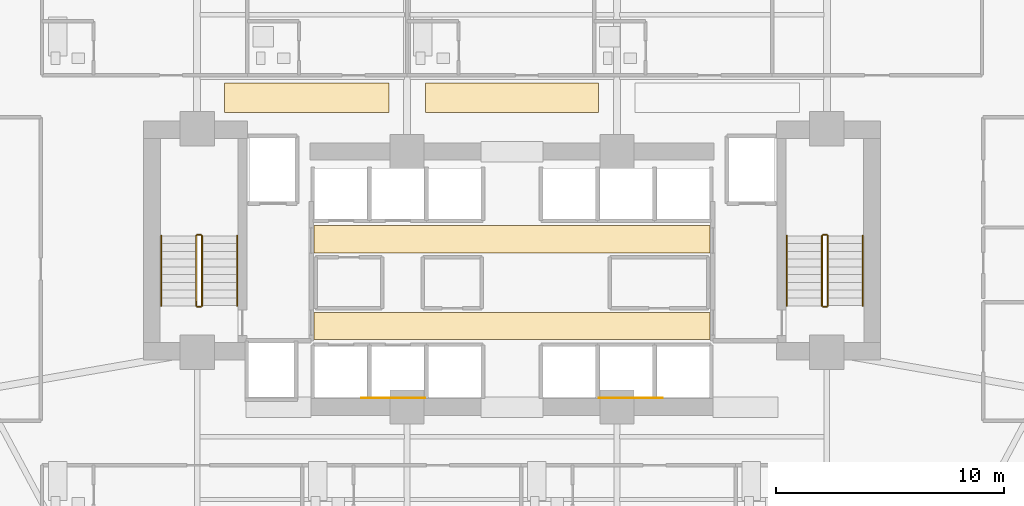
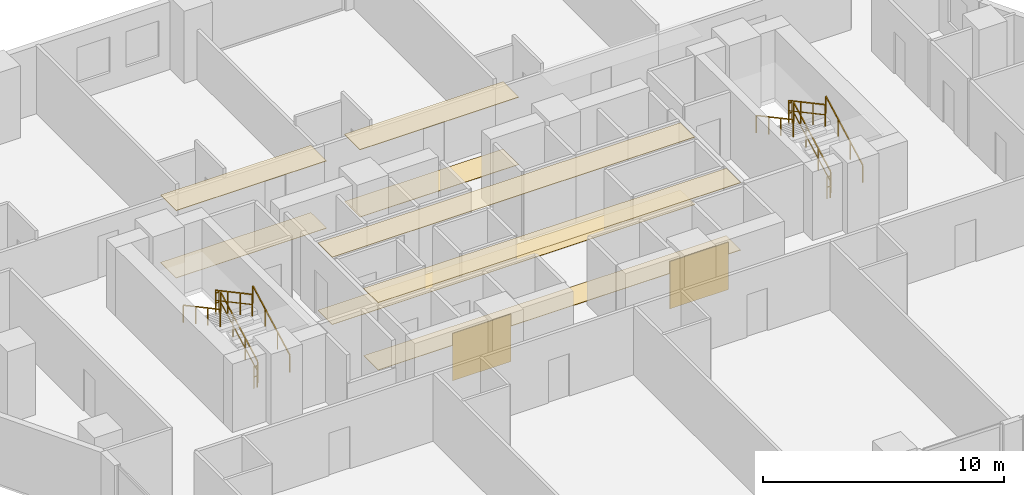
# One storey, part 25 of 27: 12 railings, 10 coverings.
"""IFC4 building model written with IfcOpenShell, lengths in metres."""

from ifc_helpers import new_model, si_unit, direction, frame, origin, origin_2d, place, context, subcontext, project, spatial, polyline, rectangle, outline, extrude, material, layer, layer_set, type_object, element, save


model = new_model("IFC4")

# Units and contexts
model_context = context("Model", 3, precision=1e-05, world=origin(), true_north=direction((0.0, 1.0)))
body_context = subcontext(model_context, "Body", "Model", "MODEL_VIEW")
ifc_project = project(units=[si_unit("LENGTHUNIT", "METRE"), si_unit("AREAUNIT", "SQUARE_METRE"), si_unit("VOLUMEUNIT", "CUBIC_METRE"), si_unit("PLANEANGLEUNIT", "RADIAN"), si_unit("MASSUNIT", "GRAM", prefix="KILO")], contexts=[model_context])

# Site, building, storey
site_placement = place(None, origin())
site = spatial("IfcSite", under=ifc_project, at=site_placement, CompositionType="ELEMENT")
building_placement = place(site_placement, origin())
building = spatial("IfcBuilding", under=site, at=building_placement, Name="Zuhayl Quay Hotel", CompositionType="ELEMENT")
storey_placement = place(building_placement, frame((0.0, 0.0, 117.550048828125)))
storey = spatial("IfcBuildingStorey", under=building, at=storey_placement, Name="L29", CompositionType="ELEMENT", Elevation=117.550048828125)

# Coverings
ifc_material_1 = material(Name="Acoustic Mineral-Fibre Gypsum Board")
ifc_layer_1 = layer(ifc_material_1, 0.02490234375, Name="Acoustic Mineral-Fibre Gypsum Board")
ifc_layer_set_1 = layer_set([ifc_layer_1], Name="Acoustic Mineral-Fibre Gypsum Board")
covering_type_1 = type_object("IfcCoveringType", Name="CV_CEIL_ACOUSTIC", PredefinedType="CEILING", material=ifc_layer_set_1)
covering_1_placement = place(storey_placement, frame((0.0, 0.0, 3.405029296875)))
element("IfcCovering", 1, at=covering_1_placement, inside=storey, type_object=covering_type_1, Name="L29 Suspended Acoustic Lobby Ceiling S", PredefinedType="CEILING", context=body_context, shape_type="SweptSolid", body=[
    extrude(outline(polyline([(-8.679931640625, 5.10009765625), (8.679931640625, 5.10009765625), (8.679931640625, 6.300048828125), (-8.679931640625, 6.300048828125), (-8.679931640625, 5.10009765625)])), origin(), (0.0, 0.0, 1.0), 0.02490234375),
])
covering_2_placement = place(storey_placement, frame((0.0, 0.0, 3.405029296875)))
element("IfcCovering", 2, at=covering_2_placement, inside=storey, type_object=covering_type_1, Name="L29 Suspended Acoustic Lobby Ceiling N", PredefinedType="CEILING", context=body_context, shape_type="SweptSolid", body=[
    extrude(outline(polyline([(-8.679931640625, 8.89990234375), (8.679931640625, 8.89990234375), (8.679931640625, 10.10009765625), (-8.679931640625, 10.10009765625), (-8.679931640625, 8.89990234375)])), origin(), (0.0, 0.0, 1.0), 0.02490234375),
])
covering_3_placement = place(storey_placement, frame((0.0, 0.0, 3.405029296875)))
element("IfcCovering", 3, at=covering_3_placement, inside=storey, type_object=covering_type_1, Name="L29 Guest Corridor Acoustic Ceiling CW", PredefinedType="CEILING", context=body_context, shape_type="SweptSolid", body=[
    extrude(outline(polyline([(-12.60009765625, 15.050048828125), (-5.39990234375, 15.050048828125), (-5.39990234375, 16.35009765625), (-12.60009765625, 16.35009765625), (-12.60009765625, 15.050048828125)])), origin(), (0.0, 0.0, 1.0), 0.02490234375),
])
covering_4_placement = place(storey_placement, frame((0.0, 0.0, 3.405029296875)))
element("IfcCovering", 4, at=covering_4_placement, inside=storey, type_object=covering_type_1, Name="L29 Guest Corridor Acoustic Ceiling CC", PredefinedType="CEILING", context=body_context, shape_type="SweptSolid", body=[
    extrude(outline(polyline([(-3.800048828125, 15.050048828125), (3.800048828125, 15.050048828125), (3.800048828125, 16.35009765625), (-3.800048828125, 16.35009765625), (-3.800048828125, 15.050048828125)])), origin(), (0.0, 0.0, 1.0), 0.02490234375),
])
ifc_material_2 = material(Name="Polished Limestone Terrazzo", Category="masonry")
ifc_layer_2 = layer(ifc_material_2, 0.02001953125, Name="Polished Limestone Terrazzo", Category="masonry")
ifc_layer_set_2 = layer_set([ifc_layer_2], Name="Polished Limestone Terrazzo")
covering_type_2 = type_object("IfcCoveringType", Name="CV_FLOOR_TERRAZZO", PredefinedType="FLOORING", material=ifc_layer_set_2)
covering_5_placement = place(storey_placement, origin())
element("IfcCovering", 5, at=covering_5_placement, inside=storey, type_object=covering_type_2, Name="L29 Honed Limestone Terrazzo Lobby Flooring S", PredefinedType="FLOORING", context=body_context, shape_type="SweptSolid", body=[
    extrude(outline(polyline([(-8.679931640625, 5.10009765625), (8.679931640625, 5.10009765625), (8.679931640625, 6.300048828125), (-8.679931640625, 6.300048828125), (-8.679931640625, 5.10009765625)])), origin(), (0.0, 0.0, 1.0), 0.02001953125),
])
covering_6_placement = place(storey_placement, origin())
element("IfcCovering", 6, at=covering_6_placement, inside=storey, type_object=covering_type_2, Name="L29 Honed Limestone Terrazzo Lobby Flooring N", PredefinedType="FLOORING", context=body_context, shape_type="SweptSolid", body=[
    extrude(outline(polyline([(-8.679931640625, 8.89990234375), (8.679931640625, 8.89990234375), (8.679931640625, 10.10009765625), (-8.679931640625, 10.10009765625), (-8.679931640625, 8.89990234375)])), origin(), (0.0, 0.0, 1.0), 0.02001953125),
])
covering_7_placement = place(storey_placement, origin())
element("IfcCovering", 7, at=covering_7_placement, inside=storey, type_object=covering_type_2, Name="L29 Guest Corridor Terrazzo Runner CW", PredefinedType="FLOORING", context=body_context, shape_type="SweptSolid", body=[
    extrude(outline(polyline([(-12.60009765625, 15.050048828125), (-5.39990234375, 15.050048828125), (-5.39990234375, 16.35009765625), (-12.60009765625, 16.35009765625), (-12.60009765625, 15.050048828125)])), origin(), (0.0, 0.0, 1.0), 0.02001953125),
])
covering_8_placement = place(storey_placement, origin())
element("IfcCovering", 8, at=covering_8_placement, inside=storey, type_object=covering_type_2, Name="L29 Guest Corridor Terrazzo Runner CC", PredefinedType="FLOORING", context=body_context, shape_type="SweptSolid", body=[
    extrude(outline(polyline([(-3.800048828125, 15.050048828125), (3.800048828125, 15.050048828125), (3.800048828125, 16.35009765625), (-3.800048828125, 16.35009765625), (-3.800048828125, 15.050048828125)])), origin(), (0.0, 0.0, 1.0), 0.02001953125),
])
ifc_material_3 = material(Name="Acoustic Walnut Feature Timber", Category="wood")
ifc_layer_3 = layer(ifc_material_3, 0.02197265625, Name="Acoustic Walnut Feature Timber", Category="wood")
ifc_layer_set_3 = layer_set([ifc_layer_3], Name="Acoustic Walnut Feature Timber")
covering_type_3 = type_object("IfcCoveringType", Name="CV_WALL_CLAD", PredefinedType="CLADDING", material=ifc_layer_set_3)
for number, where, z_axis, x_axis, name in (
    (9, (-5.199951171875, 2.535888671875, 0.300048828125), (0.0, 0.0, 1.0), (1.0, 0.0, 0.0), "L29 Feature Lobby Walnut Wall Cladding W"),
    (10, (5.199951171875, 2.535888671875, 0.300048828125), (0.0, 0.0, 1.0), (1.0, 0.0, 0.0), "L29 Feature Lobby Walnut Wall Cladding E"),
):
    element("IfcCovering", number, at=place(storey_placement, frame(where, z_axis=z_axis, x_axis=x_axis)), inside=storey, type_object=covering_type_3, Name=name, PredefinedType="CLADDING", context=body_context, shape_type="SweptSolid", body=[
        extrude(rectangle(XDim=2.800048828125, YDim=0.02197265625, at=origin_2d()), origin(), (0.0, 0.0, 1.0), 2.39990234375),
    ])

# Railings
ifc_material_4 = material(Name="Steel ASTM A992 Grade 50", Category="steel")
railing_type_1 = type_object("IfcRailingType", Name="RL_GUARD_1100", PredefinedType="GUARDRAIL", material=ifc_material_4)
railing_1_placement = place(storey_placement, frame((-13.590087890625, 6.590087890625, 0.182373046875)))
element("IfcRailing", 11, at=railing_1_placement, inside=storey, type_object=railing_type_1, Name="L29 ST1 stair guard 1", PredefinedType="GUARDRAIL", context=body_context, shape_type="SweptSolid", body=[
    extrude(rectangle(XDim=0.048095703125, YDim=0.048095703125, at=origin_2d()), frame((0.0, 0.0, 1.09619140625), z_axis=(0.0, 0.88107310026, 0.472980117973), x_axis=(-1.0, 0.0, 0.0)), (0.0, 0.0, 1.0), 3.472900390625),
    extrude(rectangle(XDim=0.0361328125, YDim=0.0361328125, at=origin_2d()), frame((0.0, 0.0, 0.58251953125), z_axis=(0.0, 0.88107310026, 0.472980117973), x_axis=(-1.0, 0.0, 0.0)), (0.0, 0.0, 1.0), 3.472900390625),
    extrude(rectangle(XDim=0.0419921875, YDim=0.0419921875, at=origin_2d()), origin(), (0.0, 0.0, 1.0), 1.072021484375),
    extrude(rectangle(XDim=0.0419921875, YDim=0.0419921875, at=origin_2d()), frame((0.0, 1.02001953125, 0.547607421875)), (0.0, 0.0, 1.0), 1.072021484375),
    extrude(rectangle(XDim=0.0419921875, YDim=0.0419921875, at=origin_2d()), frame((0.0, 2.039794921875, 1.094970703125)), (0.0, 0.0, 1.0), 1.072021484375),
    extrude(rectangle(XDim=0.0419921875, YDim=0.0419921875, at=origin_2d()), frame((0.0, 3.059814453125, 1.642578125)), (0.0, 0.0, 1.0), 1.072021484375),
])
railing_2_placement = place(storey_placement, frame((-13.639892578125, 9.699951171875, 1.824951171875)))
element("IfcRailing", 12, at=railing_2_placement, inside=storey, type_object=railing_type_1, Name="L29 ST1 stair guard 2", PredefinedType="GUARDRAIL", context=body_context, shape_type="SweptSolid", body=[
    extrude(rectangle(XDim=0.048095703125, YDim=0.048095703125, at=origin_2d()), frame((0.0, 0.0, 1.09619140625), z_axis=(-1.0, 0.0, 0.0), x_axis=(0.0, -1.0, 0.0)), (0.0, 0.0, 1.0), 0.150146484375),
    extrude(rectangle(XDim=0.0361328125, YDim=0.0361328125, at=origin_2d()), frame((0.0, 0.0, 0.58251953125), z_axis=(-1.0, 0.0, 0.0), x_axis=(0.0, -1.0, 0.0)), (0.0, 0.0, 1.0), 0.150146484375),
    extrude(rectangle(XDim=0.0419921875, YDim=0.0419921875, at=origin_2d()), origin(), (0.0, 0.0, 1.0), 1.072021484375),
    extrude(rectangle(XDim=0.0419921875, YDim=0.0419921875, at=origin_2d()), frame((-0.150146484375, 0.0, 0.0)), (0.0, 0.0, 1.0), 1.072021484375),
])
railing_3_placement = place(storey_placement, frame((-13.840087890625, 9.64990234375, 2.007568359375)))
element("IfcRailing", 13, at=railing_3_placement, inside=storey, type_object=railing_type_1, Name="L29 ST1 stair guard 3", PredefinedType="GUARDRAIL", context=body_context, shape_type="SweptSolid", body=[
    extrude(rectangle(XDim=0.048095703125, YDim=0.048095703125, at=origin_2d()), frame((0.0, 0.0, 1.09619140625), z_axis=(0.0, -0.881102395774, 0.472925541879), x_axis=(1.0, 0.0, 0.0)), (0.0, 0.0, 1.0), 3.47265625),
    extrude(rectangle(XDim=0.0361328125, YDim=0.0361328125, at=origin_2d()), frame((0.0, 0.0, 0.58251953125), z_axis=(0.0, -0.881102395774, 0.472925541879), x_axis=(1.0, 0.0, 0.0)), (0.0, 0.0, 1.0), 3.47265625),
    extrude(rectangle(XDim=0.0419921875, YDim=0.0419921875, at=origin_2d()), origin(), (0.0, 0.0, 1.0), 1.072021484375),
    extrude(rectangle(XDim=0.0419921875, YDim=0.0419921875, at=origin_2d()), frame((0.0, -1.02001953125, 0.54736328125)), (0.0, 0.0, 1.0), 1.072021484375),
    extrude(rectangle(XDim=0.0419921875, YDim=0.0419921875, at=origin_2d()), frame((0.0, -2.039794921875, 1.094970703125)), (0.0, 0.0, 1.0), 1.072021484375),
    extrude(rectangle(XDim=0.0419921875, YDim=0.0419921875, at=origin_2d()), frame((0.0, -3.059814453125, 1.642333984375)), (0.0, 0.0, 1.0), 1.072021484375),
])
railing_4_placement = place(storey_placement, frame((-13.639892578125, 6.5400390625, 0.0)))
element("IfcRailing", 14, at=railing_4_placement, inside=storey, type_object=railing_type_1, Name="L29 ST1 stair guard 4", PredefinedType="GUARDRAIL", context=body_context, shape_type="SweptSolid", body=[
    extrude(rectangle(XDim=0.048095703125, YDim=0.048095703125, at=origin_2d()), frame((0.0, 0.0, 1.09619140625), z_axis=(-1.0, 0.0, 0.0), x_axis=(0.0, -1.0, 0.0)), (0.0, 0.0, 1.0), 0.150146484375),
    extrude(rectangle(XDim=0.0361328125, YDim=0.0361328125, at=origin_2d()), frame((0.0, 0.0, 0.58251953125), z_axis=(-1.0, 0.0, 0.0), x_axis=(0.0, -1.0, 0.0)), (0.0, 0.0, 1.0), 0.150146484375),
    extrude(rectangle(XDim=0.0419921875, YDim=0.0419921875, at=origin_2d()), origin(), (0.0, 0.0, 1.0), 1.072021484375),
    extrude(rectangle(XDim=0.0419921875, YDim=0.0419921875, at=origin_2d()), frame((-0.150146484375, 0.0, 0.0)), (0.0, 0.0, 1.0), 1.072021484375),
])
railing_5_placement = place(storey_placement, frame((13.840087890625, 6.590087890625, 0.182373046875)))
element("IfcRailing", 15, at=railing_5_placement, inside=storey, type_object=railing_type_1, Name="L29 ST2 stair guard 1", PredefinedType="GUARDRAIL", context=body_context, shape_type="SweptSolid", body=[
    extrude(rectangle(XDim=0.048095703125, YDim=0.048095703125, at=origin_2d()), frame((0.0, 0.0, 1.09619140625), z_axis=(0.0, 0.88107310026, 0.472980117973), x_axis=(-1.0, 0.0, 0.0)), (0.0, 0.0, 1.0), 3.472900390625),
    extrude(rectangle(XDim=0.0361328125, YDim=0.0361328125, at=origin_2d()), frame((0.0, 0.0, 0.58251953125), z_axis=(0.0, 0.88107310026, 0.472980117973), x_axis=(-1.0, 0.0, 0.0)), (0.0, 0.0, 1.0), 3.472900390625),
    extrude(rectangle(XDim=0.0419921875, YDim=0.0419921875, at=origin_2d()), origin(), (0.0, 0.0, 1.0), 1.072021484375),
    extrude(rectangle(XDim=0.0419921875, YDim=0.0419921875, at=origin_2d()), frame((0.0, 1.02001953125, 0.547607421875)), (0.0, 0.0, 1.0), 1.072021484375),
    extrude(rectangle(XDim=0.0419921875, YDim=0.0419921875, at=origin_2d()), frame((0.0, 2.039794921875, 1.094970703125)), (0.0, 0.0, 1.0), 1.072021484375),
    extrude(rectangle(XDim=0.0419921875, YDim=0.0419921875, at=origin_2d()), frame((0.0, 3.059814453125, 1.642578125)), (0.0, 0.0, 1.0), 1.072021484375),
])
railing_6_placement = place(storey_placement, frame((13.7900390625, 9.699951171875, 1.824951171875)))
element("IfcRailing", 16, at=railing_6_placement, inside=storey, type_object=railing_type_1, Name="L29 ST2 stair guard 2", PredefinedType="GUARDRAIL", context=body_context, shape_type="SweptSolid", body=[
    extrude(rectangle(XDim=0.048095703125, YDim=0.048095703125, at=origin_2d()), frame((0.0, 0.0, 1.09619140625), z_axis=(-1.0, 0.0, 0.0), x_axis=(0.0, -1.0, 0.0)), (0.0, 0.0, 1.0), 0.150146484375),
    extrude(rectangle(XDim=0.0361328125, YDim=0.0361328125, at=origin_2d()), frame((0.0, 0.0, 0.58251953125), z_axis=(-1.0, 0.0, 0.0), x_axis=(0.0, -1.0, 0.0)), (0.0, 0.0, 1.0), 0.150146484375),
    extrude(rectangle(XDim=0.0419921875, YDim=0.0419921875, at=origin_2d()), origin(), (0.0, 0.0, 1.0), 1.072021484375),
    extrude(rectangle(XDim=0.0419921875, YDim=0.0419921875, at=origin_2d()), frame((-0.150146484375, 0.0, 0.0)), (0.0, 0.0, 1.0), 1.072021484375),
])
railing_7_placement = place(storey_placement, frame((13.590087890625, 9.64990234375, 2.007568359375)))
element("IfcRailing", 17, at=railing_7_placement, inside=storey, type_object=railing_type_1, Name="L29 ST2 stair guard 3", PredefinedType="GUARDRAIL", context=body_context, shape_type="SweptSolid", body=[
    extrude(rectangle(XDim=0.048095703125, YDim=0.048095703125, at=origin_2d()), frame((0.0, 0.0, 1.09619140625), z_axis=(0.0, -0.881102395774, 0.472925541879), x_axis=(1.0, 0.0, 0.0)), (0.0, 0.0, 1.0), 3.47265625),
    extrude(rectangle(XDim=0.0361328125, YDim=0.0361328125, at=origin_2d()), frame((0.0, 0.0, 0.58251953125), z_axis=(0.0, -0.881102395774, 0.472925541879), x_axis=(1.0, 0.0, 0.0)), (0.0, 0.0, 1.0), 3.47265625),
    extrude(rectangle(XDim=0.0419921875, YDim=0.0419921875, at=origin_2d()), origin(), (0.0, 0.0, 1.0), 1.072021484375),
    extrude(rectangle(XDim=0.0419921875, YDim=0.0419921875, at=origin_2d()), frame((0.0, -1.02001953125, 0.54736328125)), (0.0, 0.0, 1.0), 1.072021484375),
    extrude(rectangle(XDim=0.0419921875, YDim=0.0419921875, at=origin_2d()), frame((0.0, -2.039794921875, 1.094970703125)), (0.0, 0.0, 1.0), 1.072021484375),
    extrude(rectangle(XDim=0.0419921875, YDim=0.0419921875, at=origin_2d()), frame((0.0, -3.059814453125, 1.642333984375)), (0.0, 0.0, 1.0), 1.072021484375),
])
railing_8_placement = place(storey_placement, frame((13.7900390625, 6.5400390625, 0.0)))
element("IfcRailing", 18, at=railing_8_placement, inside=storey, type_object=railing_type_1, Name="L29 ST2 stair guard 4", PredefinedType="GUARDRAIL", context=body_context, shape_type="SweptSolid", body=[
    extrude(rectangle(XDim=0.048095703125, YDim=0.048095703125, at=origin_2d()), frame((0.0, 0.0, 1.09619140625), z_axis=(-1.0, 0.0, 0.0), x_axis=(0.0, -1.0, 0.0)), (0.0, 0.0, 1.0), 0.150146484375),
    extrude(rectangle(XDim=0.0361328125, YDim=0.0361328125, at=origin_2d()), frame((0.0, 0.0, 0.58251953125), z_axis=(-1.0, 0.0, 0.0), x_axis=(0.0, -1.0, 0.0)), (0.0, 0.0, 1.0), 0.150146484375),
    extrude(rectangle(XDim=0.0419921875, YDim=0.0419921875, at=origin_2d()), origin(), (0.0, 0.0, 1.0), 1.072021484375),
    extrude(rectangle(XDim=0.0419921875, YDim=0.0419921875, at=origin_2d()), frame((-0.150146484375, 0.0, 0.0)), (0.0, 0.0, 1.0), 1.072021484375),
])
railing_type_2 = type_object("IfcRailingType", Name="RL_HANDRAIL_920", PredefinedType="HANDRAIL", material=ifc_material_4)
railing_9_placement = place(storey_placement, frame((-12.050048828125, 6.590087890625, 0.182373046875)))
element("IfcRailing", 19, at=railing_9_placement, inside=storey, type_object=railing_type_2, Name="L29 ST1 stair handrail 1", PredefinedType="HANDRAIL", context=body_context, shape_type="SweptSolid", body=[
    extrude(rectangle(XDim=0.048095703125, YDim=0.048095703125, at=origin_2d()), frame((0.0, 0.0, 0.8759765625), z_axis=(0.0, 0.88107310026, 0.472980117973), x_axis=(-1.0, 0.0, 0.0)), (0.0, 0.0, 1.0), 3.472900390625),
    extrude(rectangle(XDim=0.0419921875, YDim=0.0419921875, at=origin_2d()), origin(), (0.0, 0.0, 1.0), 0.851806640625),
    extrude(rectangle(XDim=0.0419921875, YDim=0.0419921875, at=origin_2d()), frame((0.0, 1.02001953125, 0.547607421875)), (0.0, 0.0, 1.0), 0.851806640625),
    extrude(rectangle(XDim=0.0419921875, YDim=0.0419921875, at=origin_2d()), frame((0.0, 2.039794921875, 1.094970703125)), (0.0, 0.0, 1.0), 0.851806640625),
    extrude(rectangle(XDim=0.0419921875, YDim=0.0419921875, at=origin_2d()), frame((0.0, 3.059814453125, 1.642578125)), (0.0, 0.0, 1.0), 0.851806640625),
])
railing_10_placement = place(storey_placement, frame((-15.3798828125, 9.64990234375, 2.007568359375)))
element("IfcRailing", 20, at=railing_10_placement, inside=storey, type_object=railing_type_2, Name="L29 ST1 stair handrail 2", PredefinedType="HANDRAIL", context=body_context, shape_type="SweptSolid", body=[
    extrude(rectangle(XDim=0.048095703125, YDim=0.048095703125, at=origin_2d()), frame((0.0, 0.0, 0.8759765625), z_axis=(0.0, -0.881102395774, 0.472925541879), x_axis=(1.0, 0.0, 0.0)), (0.0, 0.0, 1.0), 3.47265625),
    extrude(rectangle(XDim=0.0419921875, YDim=0.0419921875, at=origin_2d()), origin(), (0.0, 0.0, 1.0), 0.851806640625),
    extrude(rectangle(XDim=0.0419921875, YDim=0.0419921875, at=origin_2d()), frame((0.0, -1.02001953125, 0.54736328125)), (0.0, 0.0, 1.0), 0.851806640625),
    extrude(rectangle(XDim=0.0419921875, YDim=0.0419921875, at=origin_2d()), frame((0.0, -2.039794921875, 1.094970703125)), (0.0, 0.0, 1.0), 0.851806640625),
    extrude(rectangle(XDim=0.0419921875, YDim=0.0419921875, at=origin_2d()), frame((0.0, -3.059814453125, 1.642333984375)), (0.0, 0.0, 1.0), 0.851806640625),
])
railing_11_placement = place(storey_placement, frame((15.3798828125, 6.590087890625, 0.182373046875)))
element("IfcRailing", 21, at=railing_11_placement, inside=storey, type_object=railing_type_2, Name="L29 ST2 stair handrail 1", PredefinedType="HANDRAIL", context=body_context, shape_type="SweptSolid", body=[
    extrude(rectangle(XDim=0.048095703125, YDim=0.048095703125, at=origin_2d()), frame((0.0, 0.0, 0.8759765625), z_axis=(0.0, 0.88107310026, 0.472980117973), x_axis=(-1.0, 0.0, 0.0)), (0.0, 0.0, 1.0), 3.472900390625),
    extrude(rectangle(XDim=0.0419921875, YDim=0.0419921875, at=origin_2d()), origin(), (0.0, 0.0, 1.0), 0.851806640625),
    extrude(rectangle(XDim=0.0419921875, YDim=0.0419921875, at=origin_2d()), frame((0.0, 1.02001953125, 0.547607421875)), (0.0, 0.0, 1.0), 0.851806640625),
    extrude(rectangle(XDim=0.0419921875, YDim=0.0419921875, at=origin_2d()), frame((0.0, 2.039794921875, 1.094970703125)), (0.0, 0.0, 1.0), 0.851806640625),
    extrude(rectangle(XDim=0.0419921875, YDim=0.0419921875, at=origin_2d()), frame((0.0, 3.059814453125, 1.642578125)), (0.0, 0.0, 1.0), 0.851806640625),
])
railing_12_placement = place(storey_placement, frame((12.050048828125, 9.64990234375, 2.007568359375)))
element("IfcRailing", 22, at=railing_12_placement, inside=storey, type_object=railing_type_2, Name="L29 ST2 stair handrail 2", PredefinedType="HANDRAIL", context=body_context, shape_type="SweptSolid", body=[
    extrude(rectangle(XDim=0.048095703125, YDim=0.048095703125, at=origin_2d()), frame((0.0, 0.0, 0.8759765625), z_axis=(0.0, -0.881102395774, 0.472925541879), x_axis=(1.0, 0.0, 0.0)), (0.0, 0.0, 1.0), 3.47265625),
    extrude(rectangle(XDim=0.0419921875, YDim=0.0419921875, at=origin_2d()), origin(), (0.0, 0.0, 1.0), 0.851806640625),
    extrude(rectangle(XDim=0.0419921875, YDim=0.0419921875, at=origin_2d()), frame((0.0, -1.02001953125, 0.54736328125)), (0.0, 0.0, 1.0), 0.851806640625),
    extrude(rectangle(XDim=0.0419921875, YDim=0.0419921875, at=origin_2d()), frame((0.0, -2.039794921875, 1.094970703125)), (0.0, 0.0, 1.0), 0.851806640625),
    extrude(rectangle(XDim=0.0419921875, YDim=0.0419921875, at=origin_2d()), frame((0.0, -3.059814453125, 1.642333984375)), (0.0, 0.0, 1.0), 0.851806640625),
])

save(model, "model.ifc")
